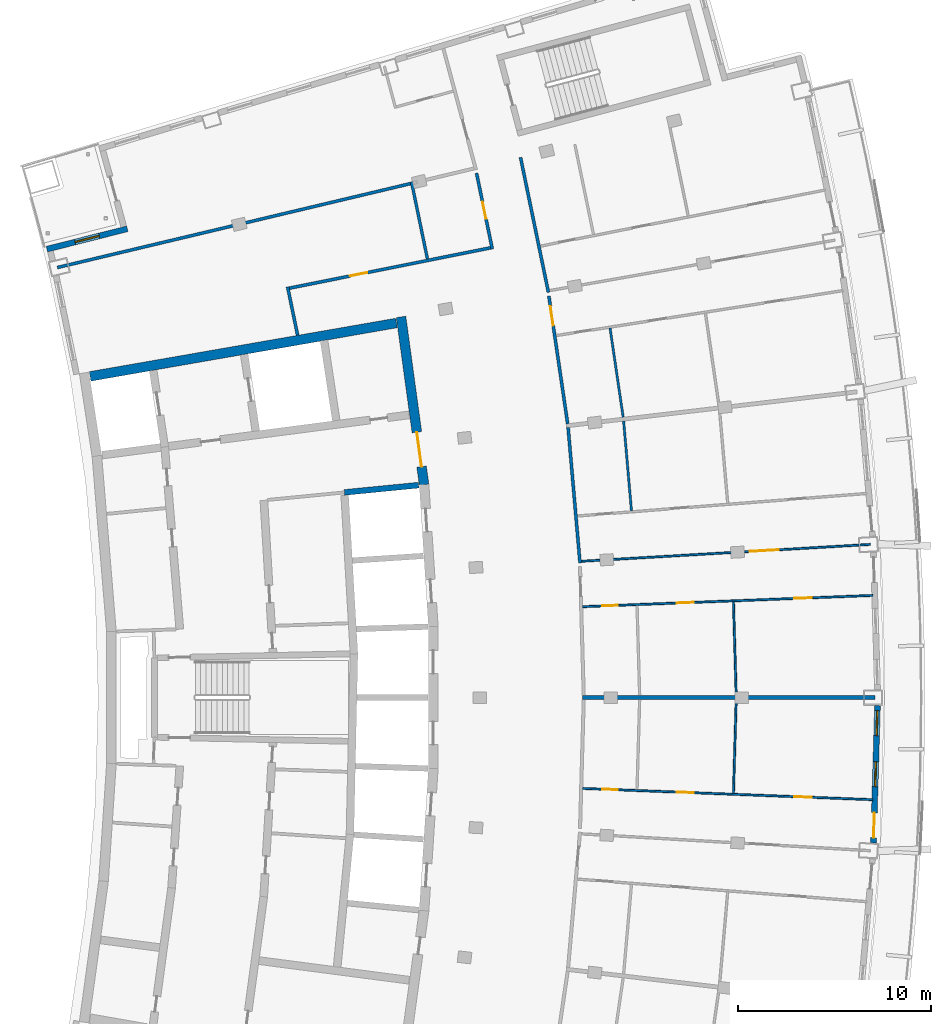
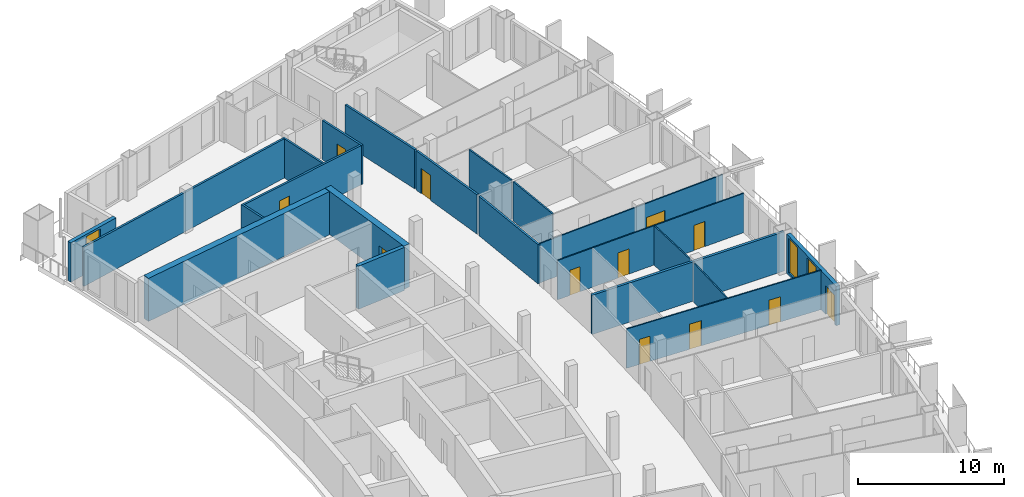
# One storey, part 11 of 17: 21 walls, 12 doors, 3 windows, 15 openings.
"""IFC4 building model written with IfcOpenShell, lengths in metres."""

import ifcopenshell
import ifcopenshell.guid

model = None  # the IFC model being written
_history = None  # IfcOwnerHistory: only IFC2X3 demands one
_inside = {}  # id of a spatial element -> (the spatial element, [elements in it])
_under = {}  # id of a project, library or spatial element -> (it, [spatial elements below it])
_declared = {}  # id of a project -> (the project, [libraries it declares])
_typed = {}  # id of a type object -> (the type object, [elements of that type])
_made_of = {}  # id of a material, layer set ... -> (it, [elements and type objects made of it])


def new_model(schema):
    """Start an empty IFC model of exactly this schema.

    Asked for "IFC4X3", IfcOpenShell would pick the latest addendum, in which some entities
    have other attributes; the version numbers below select the first issue.
    IFC2X3 requires an IfcOwnerHistory on every rooted entity: one is made here for all.
    """
    global model, _history
    if schema == "IFC4X3":
        model = ifcopenshell.file(schema_version=(4, 3, 0, 0))
    else:
        model = ifcopenshell.file(schema=schema)
    _inside.clear()
    _under.clear()
    _declared.clear()
    _typed.clear()
    _made_of.clear()
    _history = None
    if model.schema == "IFC2X3":
        org = make("IfcOrganization", Name="unknown")
        user = make(
            "IfcPersonAndOrganization",
            ThePerson=make("IfcPerson", FamilyName="unknown"),
            TheOrganization=org,
        )
        app = make(
            "IfcApplication",
            ApplicationDeveloper=org,
            Version="unknown",
            ApplicationFullName="unknown",
            ApplicationIdentifier="unknown",
        )
        _history = make(
            "IfcOwnerHistory",
            OwningUser=user,
            OwningApplication=app,
            ChangeAction="ADDED",
            CreationDate=0,
        )
    return model


def make(cls, **values):
    """One entity of the class cls with the attributes given. An attribute that is None is left unset."""
    return model.create_entity(
        cls, **{name: value for name, value in values.items() if value is not None}
    )


def rooted(cls, **values):
    """An entity with a GlobalId (a new one), such as an element, a storey or a relation."""
    return make(cls, GlobalId=ifcopenshell.guid.new(), OwnerHistory=_history, **values)


def si_unit(unit_type, name, prefix=None):
    """IfcSIUnit, for example si_unit("LENGTHUNIT", "METRE", prefix="MILLI")."""
    return make("IfcSIUnit", UnitType=unit_type, Prefix=prefix, Name=name)


def assignment(units):
    """IfcUnitAssignment: the units of a project."""
    return None if units is None else make("IfcUnitAssignment", Units=units)


def point(xyz):
    """IfcCartesianPoint."""
    return None if xyz is None else make("IfcCartesianPoint", Coordinates=xyz)


def direction(xyz):
    """IfcDirection."""
    return None if xyz is None else make("IfcDirection", DirectionRatios=xyz)


def frame(location, z_axis=None, x_axis=None):
    """IfcAxis2Placement3D, a coordinate frame: its origin and axes. An axis left out is left unset."""
    return make(
        "IfcAxis2Placement3D",
        Location=point(location),
        Axis=direction(z_axis),
        RefDirection=direction(x_axis),
    )


def frame_2d(location, x_axis=None):
    """IfcAxis2Placement2D, a coordinate frame in the plane: its origin and x axis."""
    return make(
        "IfcAxis2Placement2D", Location=point(location), RefDirection=direction(x_axis)
    )


def origin():
    """The frame at (0, 0, 0) with its axes left unset."""
    return frame((0.0, 0.0, 0.0))


def place(relative_to, where):
    """IfcLocalPlacement: puts the frame where relative to a parent placement (None: the world)."""
    return make(
        "IfcLocalPlacement", PlacementRelTo=relative_to, RelativePlacement=where
    )


def context(
    kind, dimensions, precision=None, world=None, true_north=None, identifier=None
):
    """IfcGeometricRepresentationContext, for example the 3D "Model" context."""
    return make(
        "IfcGeometricRepresentationContext",
        ContextIdentifier=identifier,
        ContextType=kind,
        CoordinateSpaceDimension=dimensions,
        Precision=precision,
        WorldCoordinateSystem=world,
        TrueNorth=true_north,
    )


def subcontext(parent, identifier, kind, view, scale=None):
    """IfcGeometricRepresentationSubContext, for example "Body" below "Model"."""
    return make(
        "IfcGeometricRepresentationSubContext",
        ContextIdentifier=identifier,
        ContextType=kind,
        ParentContext=parent,
        TargetScale=scale,
        TargetView=view,
    )


def project(units=None, contexts=None):
    """IfcProject with its units and contexts."""
    return rooted(
        "IfcProject",
        Name="project",
        RepresentationContexts=contexts,
        UnitsInContext=assignment(units),
    )


def spatial(cls, under=None, at=None, **own):
    """A site, building, storey or space (cls), placed at a placement, below another one or the project."""
    s = rooted(cls, ObjectPlacement=at, **own)
    if under is not None:
        _under.setdefault(under.id(), (under, []))[1].append(s)
    return s


def profile(cls, at=None, kind="AREA", **sizes):
    """A parametric profile (cls). Its sizes go by their IFC names, for example OverallWidth=200.0."""
    return make(cls, ProfileType=kind, Position=at, **sizes)


def rectangle(**sizes):
    """IfcRectangleProfileDef."""
    return profile("IfcRectangleProfileDef", **sizes)


def extrude(swept, where, along, depth):
    """IfcExtrudedAreaSolid: the profile swept, set in the frame where, extruded along a direction by depth."""
    return make(
        "IfcExtrudedAreaSolid",
        SweptArea=swept,
        Position=where,
        ExtrudedDirection=direction(along),
        Depth=depth,
    )


def shape(context_of_items, identifier, shape_type, items):
    """IfcShapeRepresentation: the items that make up one representation, for example the "Body"."""
    return make(
        "IfcShapeRepresentation",
        ContextOfItems=context_of_items,
        RepresentationIdentifier=identifier,
        RepresentationType=shape_type,
        Items=items,
    )


def material(Name=None, Category=None):
    """IfcMaterial."""
    return make("IfcMaterial", Name=Name, Category=Category)


def layer(
    of_material, thickness, ventilated=None, Name=None, Category=None, Priority=None
):
    """IfcMaterialLayer: one layer of a wall or slab, of a material (None: an air gap)."""
    return make(
        "IfcMaterialLayer",
        Material=of_material,
        LayerThickness=thickness,
        IsVentilated=ventilated,
        Name=Name,
        Category=Category,
        Priority=Priority,
    )


def layer_set(layers, Name=None):
    """IfcMaterialLayerSet."""
    return make("IfcMaterialLayerSet", MaterialLayers=layers, LayerSetName=Name)


def made_of(thing, what):
    """Note that an element or type object is made of a material, layer set ...; save() writes the relation."""
    if what is not None:
        _made_of.setdefault(what.id(), (what, []))[1].append(thing)
    return thing


def type_object(cls, material=None, **own):
    """A type object (cls), such as IfcWallType, which elements share."""
    return made_of(rooted(cls, **own), material)


def element(
    cls,
    number,
    at=None,
    inside=None,
    cuts=None,
    type_object=None,
    material=None,
    context=None,
    identifier="Body",
    shape_type=None,
    held_by="IfcProductDefinitionShape",
    body=None,
    shapes=None,
    **own,
):
    """One element of the class cls, such as IfcWall. Its Tag is "e" and its number.

    at: its placement. inside: the storey or other place that contains it. cuts: it is an
    opening in that element (IfcRelVoidsElement). A single representation is given by context,
    identifier, shape_type and body (its items); several are given by shapes. held_by: the class
    of the entity that holds the representations. save() writes the other relations.
    """
    e = rooted(cls, Tag="e%d" % number, ObjectPlacement=at, **own)
    if body is not None:
        shapes = [shape(context, identifier, shape_type, body)]
    if shapes is not None:
        e.Representation = make(held_by, Representations=shapes)
    if inside is not None:
        _inside.setdefault(inside.id(), (inside, []))[1].append(e)
    if cuts is not None:
        rooted(
            "IfcRelVoidsElement", RelatingBuildingElement=cuts, RelatedOpeningElement=e
        )
    if type_object is not None:
        _typed.setdefault(type_object.id(), (type_object, []))[1].append(e)
    return made_of(e, material)


def fill(opening, filler):
    """IfcRelFillsElement: the door or window that sits in an opening."""
    return rooted(
        "IfcRelFillsElement",
        RelatingOpeningElement=opening,
        RelatedBuildingElement=filler,
    )


def aggregate(whole, parts):
    """IfcRelAggregates: a whole, such as a stair, and the parts it consists of."""
    return rooted("IfcRelAggregates", RelatingObject=whole, RelatedObjects=parts)


def save(model, path):
    """Write the relations noted so far, then the file.

    IfcRelAggregates (storeys below a building ...), IfcRelContainedInSpatialStructure (elements
    in a storey), IfcRelDefinesByType, IfcRelAssociatesMaterial and IfcRelDeclares: one each for
    every whole, place, type object, material and project.
    """
    for whole, parts in _under.values():
        aggregate(whole, parts)
    for where, things in _inside.values():
        rooted(
            "IfcRelContainedInSpatialStructure",
            RelatedElements=things,
            RelatingStructure=where,
        )
    for kind, things in _typed.values():
        rooted("IfcRelDefinesByType", RelatedObjects=things, RelatingType=kind)
    for what, things in _made_of.values():
        rooted("IfcRelAssociatesMaterial", RelatedObjects=things, RelatingMaterial=what)
    for by, libraries in _declared.values():
        rooted("IfcRelDeclares", RelatingContext=by, RelatedDefinitions=libraries)
    model.write(path)


model = new_model("IFC4")

# Units and contexts
model_context = context("Model", 3, precision=1e-05, world=origin(), true_north=direction((0.0, 1.0)))
body_context = subcontext(model_context, "Body", "Model", "MODEL_VIEW")
ifc_project = project(units=[si_unit("LENGTHUNIT", "METRE"), si_unit("AREAUNIT", "SQUARE_METRE"), si_unit("VOLUMEUNIT", "CUBIC_METRE"), si_unit("PLANEANGLEUNIT", "RADIAN"), si_unit("MASSUNIT", "GRAM", prefix="KILO")], contexts=[model_context])

# Site, building, storey
site_placement = place(None, origin())
site = spatial("IfcSite", under=ifc_project, at=site_placement, CompositionType="ELEMENT")
building_placement = place(site_placement, origin())
building = spatial("IfcBuilding", under=site, at=building_placement, Name="Alderwake Tower", CompositionType="ELEMENT")
storey_placement = place(building_placement, frame((0.0, 0.0, 270.800048828125)))
storey = spatial("IfcBuildingStorey", under=building, at=storey_placement, Name="L67", CompositionType="ELEMENT", Elevation=270.800048828125)

# Wall, opening, door
ifc_material_1 = material(Name="Concrete C70/85", Category="concrete")
ifc_layer_1 = layer(ifc_material_1, 0.5)
ifc_layer_set_1 = layer_set([ifc_layer_1], Name="Core wall outer 500 C70-85")
wall_type_1 = type_object("IfcWallType", Name="Core wall outer 500 C70-85", PredefinedType="SHEAR", material=ifc_layer_set_1)
wall_1_placement = place(storey_placement, frame((31.71728515625, 80.752685546875, 0.0), z_axis=(0.0, 0.0, 1.0), x_axis=(0.1358539401, -0.990728876615, 0.0)))
wall_1 = element("IfcWall", 1, at=wall_1_placement, inside=storey, type_object=wall_type_1, Name="Core wall CW.019", PredefinedType="SHEAR", context=body_context, shape_type="SweptSolid", body=[
    extrude(rectangle(XDim=8.794921875, YDim=0.5, at=frame_2d((4.3974609375, 0.0))), origin(), (0.0, 0.0, 1.0), 3.599853515625),
])
opening_1_placement = place(wall_1_placement, frame((6.0419921875, 0.0, 0.0)))
opening_1 = element("IfcOpeningElement", 2, at=opening_1_placement, cuts=wall_1, Name="Opening C001", PredefinedType="OPENING", context=body_context, shape_type="SweptSolid", body=[
    extrude(rectangle(XDim=1.800048828125, YDim=2.10009765625, at=frame_2d((0.89990234375, 1.050048828125))), frame((0.0, 0.260009765625, 0.0), z_axis=(0.0, -1.0, 0.0), x_axis=(1.0, 0.0, 0.0)), (0.0, 0.0, 1.0), 0.52001953125),
])
ifc_material_2 = material(Name="Steel-framed fire door leaves", Category="steel")
door_type_1 = type_object("IfcDoorType", Name="Core double door 1800 fire-rated", OperationType="DOUBLE_DOOR_SINGLE_SWING", PredefinedType="DOOR", material=ifc_material_2)
door_1_placement = place(opening_1_placement, origin())
door_1 = element("IfcDoor", 3, at=door_1_placement, inside=storey, type_object=door_type_1, Name="Lobby double door", OperationType="DOUBLE_DOOR_SINGLE_SWING", OverallHeight=2.10009765625, OverallWidth=1.800048828125, PredefinedType="DOOR", context=body_context, shape_type="SweptSolid", body=[
    extrude(rectangle(XDim=1.800048828125, YDim=2.10009765625, at=frame_2d((0.89990234375, 1.050048828125))), frame((0.0, 0.02490234375, 0.0), z_axis=(0.0, -1.0, 0.0), x_axis=(1.0, 0.0, 0.0)), (0.0, 0.0, 1.0), 0.050048828125),
])
fill(opening_1, door_1)

# Walls
wall_2_placement = place(storey_placement, frame((15.583251953125, 77.664306640625, 0.0), z_axis=(0.0, 0.0, 1.0), x_axis=(0.985139146221, 0.171758151429, 0.0)))
element("IfcWall", 4, at=wall_2_placement, inside=storey, type_object=wall_type_1, Name="Core wall CW.055", PredefinedType="SHEAR", context=body_context, shape_type="SweptSolid", body=[
    extrude(rectangle(XDim=16.134521484375, YDim=0.5, at=frame_2d((8.0673828125, 0.0))), origin(), (0.0, 0.0, 1.0), 3.599853515625),
])
ifc_material_3 = material(Name="Concrete C70/85", Category="concrete")
ifc_layer_2 = layer(ifc_material_3, 0.300048828125)
ifc_layer_set_2 = layer_set([ifc_layer_2], Name="Core wall shaft 300 C70-85")
wall_type_2 = type_object("IfcWallType", Name="Core wall shaft 300 C70-85", PredefinedType="SHEAR", material=ifc_layer_set_2)
wall_3_placement = place(storey_placement, frame((28.780517578125, 71.644287109375, 0.0), z_axis=(0.0, 0.0, 1.0), x_axis=(0.995244248631, 0.097410910928, 0.0)))
element("IfcWall", 5, at=wall_3_placement, inside=storey, type_object=wall_type_2, Name="Core wall CW.049", PredefinedType="SHEAR", context=body_context, shape_type="SweptSolid", body=[
    extrude(rectangle(XDim=3.86962890625, YDim=0.300048828125, at=frame_2d((1.934814453125, 0.0))), origin(), (0.0, 0.0, 1.0), 3.599853515625),
])
ifc_material_4 = material(Name="Gypsum board on metal studs, rated")
ifc_layer_3 = layer(ifc_material_4, 0.159912109375)
ifc_layer_set_3 = layer_set([ifc_layer_3], Name="Corridor wall 160")
wall_type_3 = type_object("IfcWallType", Name="Corridor wall 160", PredefinedType="PARTITIONING", material=ifc_layer_set_3)
wall_4_placement = place(storey_placement, frame((25.831787109375, 82.305419921875, 0.0), z_axis=(0.0, 0.0, 1.0), x_axis=(0.202450797205, -0.979292435747, 0.0)))
element("IfcWall", 6, at=wall_4_placement, inside=storey, type_object=wall_type_3, Name="WL/L67/W09", PredefinedType="PARTITIONING", context=body_context, shape_type="SweptSolid", body=[
    extrude(rectangle(XDim=2.555419921875, YDim=0.159912109375, at=frame_2d((1.27783203125, 0.0))), origin(), (0.0, 0.0, 1.0), 3.280029296875),
])
wall_5_placement = place(storey_placement, frame((32.200927734375, 87.66650390625, 0.0), z_axis=(0.0, 0.0, 1.0), x_axis=(-0.972897690171, -0.231235993004, 0.0)))
element("IfcWall", 7, at=wall_5_placement, inside=storey, type_object=wall_type_3, Name="WL/L67/W10", PredefinedType="PARTITIONING", context=body_context, shape_type="SweptSolid", body=[
    extrude(rectangle(XDim=18.8271484375, YDim=0.159912109375, at=frame_2d((9.41357421875, 0.0))), origin(), (0.0, 0.0, 1.0), 3.280029296875),
])

# Wall, opening, door
wall_6_placement = place(storey_placement, frame((36.451416015625, 84.272705078125, 0.0), z_axis=(0.0, 0.0, 1.0), x_axis=(-0.203258199701, 0.979125172924, 0.0)))
wall_6 = element("IfcWall", 8, at=wall_6_placement, inside=storey, type_object=wall_type_3, Name="WL/L67/W15", PredefinedType="PARTITIONING", context=body_context, shape_type="SweptSolid", body=[
    extrude(rectangle(XDim=4.020263671875, YDim=0.159912109375, at=frame_2d((2.01025390625, 0.0))), origin(), (0.0, 0.0, 1.0), 3.280029296875),
])
opening_2_placement = place(wall_6_placement, frame((1.599609375, 0.0, 0.0)))
opening_2 = element("IfcOpeningElement", 9, at=opening_2_placement, cuts=wall_6, Name="Opening R19-SBN2", PredefinedType="OPENING", context=body_context, shape_type="SweptSolid", body=[
    extrude(rectangle(XDim=0.89990234375, YDim=2.10009765625, at=frame_2d((0.449951171875, 1.050048828125))), frame((0.0, 0.08984375, 0.0), z_axis=(0.0, -1.0, 0.0), x_axis=(1.0, 0.0, 0.0)), (0.0, 0.0, 1.0), 0.179931640625),
])
ifc_material_5 = material(Name="Painted timber leaf", Category="wood")
door_type_2 = type_object("IfcDoorType", Name="Room door 900", OperationType="SINGLE_SWING_LEFT", PredefinedType="DOOR", material=ifc_material_5)
door_2_placement = place(opening_2_placement, origin())
door_2 = element("IfcDoor", 10, at=door_2_placement, inside=storey, type_object=door_type_2, Name="DR/L67/SBN2", OperationType="SINGLE_SWING_LEFT", OverallHeight=2.10009765625, OverallWidth=0.89990234375, PredefinedType="DOOR", context=body_context, shape_type="SweptSolid", body=[
    extrude(rectangle(XDim=0.89990234375, YDim=2.10009765625, at=frame_2d((0.449951171875, 1.050048828125))), frame((0.0, 0.02490234375, 0.0), z_axis=(0.0, -1.0, 0.0), x_axis=(1.0, 0.0, 0.0)), (0.0, 0.0, 1.0), 0.050048828125),
])
fill(opening_2, door_2)

wall_7_placement = place(storey_placement, frame((25.926513671875, 82.24267578125, 0.0), z_axis=(0.0, 0.0, 1.0), x_axis=(0.98046310274, 0.196703086316, 0.0)))
wall_7 = element("IfcWall", 11, at=wall_7_placement, inside=storey, type_object=wall_type_3, Name="WL/L67/W17", PredefinedType="PARTITIONING", context=body_context, shape_type="SweptSolid", body=[
    extrude(rectangle(XDim=10.637939453125, YDim=0.159912109375, at=frame_2d((5.31884765625, 0.0))), origin(), (0.0, 0.0, 1.0), 3.280029296875),
])
opening_3_placement = place(wall_7_placement, frame((3.208984375, 0.0, 0.0)))
opening_3 = element("IfcOpeningElement", 12, at=opening_3_placement, cuts=wall_7, Name="Opening R19-SBN1", PredefinedType="OPENING", context=body_context, shape_type="SweptSolid", body=[
    extrude(rectangle(XDim=0.89990234375, YDim=2.10009765625, at=frame_2d((0.449951171875, 1.050048828125))), frame((0.0, 0.08984375, 0.0), z_axis=(0.0, -1.0, 0.0), x_axis=(1.0, 0.0, 0.0)), (0.0, 0.0, 1.0), 0.179931640625),
])
door_3_placement = place(opening_3_placement, origin())
door_3 = element("IfcDoor", 13, at=door_3_placement, inside=storey, type_object=door_type_2, Name="DR/L67/SBN1", OperationType="SINGLE_SWING_LEFT", OverallHeight=2.10009765625, OverallWidth=0.89990234375, PredefinedType="DOOR", context=body_context, shape_type="SweptSolid", body=[
    extrude(rectangle(XDim=0.89990234375, YDim=2.10009765625, at=frame_2d((0.449951171875, 1.050048828125))), frame((0.0, 0.02490234375, 0.0), z_axis=(0.0, -1.0, 0.0), x_axis=(1.0, 0.0, 0.0)), (0.0, 0.0, 1.0), 0.050048828125),
])
fill(opening_3, door_3)

# Wall
wall_8_placement = place(storey_placement, frame((39.3642578125, 82.022705078125, 0.0), z_axis=(0.0, 0.0, 1.0), x_axis=(-0.202409142021, 0.979301046271, 0.0)))
element("IfcWall", 14, at=wall_8_placement, inside=storey, type_object=wall_type_3, Name="WL/L67/W20", PredefinedType="PARTITIONING", context=body_context, shape_type="SweptSolid", body=[
    extrude(rectangle(XDim=7.150146484375, YDim=0.159912109375, at=frame_2d((3.5751953125, 0.0))), origin(), (0.0, 0.0, 1.0), 3.280029296875),
])

# Wall, opening, door
wall_9_placement = place(storey_placement, frame((39.38671875, 81.837158203125, 0.0), z_axis=(0.0, 0.0, 1.0), x_axis=(0.145576845789, -0.989346947218, 0.0)))
wall_9 = element("IfcWall", 15, at=wall_9_placement, inside=storey, type_object=wall_type_3, Name="WL/L67/W21", PredefinedType="PARTITIONING", context=body_context, shape_type="SweptSolid", body=[
    extrude(rectangle(XDim=6.701416015625, YDim=0.159912109375, at=frame_2d((3.3505859375, 0.0))), origin(), (0.0, 0.0, 1.0), 3.280029296875),
])
opening_4_placement = place(wall_9_placement, frame((0.54443359375, 0.0, 0.0)))
opening_4 = element("IfcOpeningElement", 16, at=opening_4_placement, cuts=wall_9, Name="Opening R19-U06.2", PredefinedType="OPENING", context=body_context, shape_type="SweptSolid", body=[
    extrude(rectangle(XDim=1.0, YDim=2.10009765625, at=frame_2d((0.5, 1.050048828125))), frame((0.0, 0.08984375, 0.0), z_axis=(0.0, -1.0, 0.0), x_axis=(1.0, 0.0, 0.0)), (0.0, 0.0, 1.0), 0.179931640625),
])
ifc_material_6 = material(Name="Solid timber leaf in steel frame", Category="steel")
door_type_3 = type_object("IfcDoorType", Name="Flat entrance door 1000 fire-rated", OperationType="SINGLE_SWING_LEFT", PredefinedType="DOOR", material=ifc_material_6)
door_4_placement = place(opening_4_placement, origin())
door_4 = element("IfcDoor", 17, at=door_4_placement, inside=storey, type_object=door_type_3, Name="DR/L67/U06.2", OperationType="SINGLE_SWING_LEFT", OverallHeight=2.10009765625, OverallWidth=1.0, PredefinedType="DOOR", context=body_context, shape_type="SweptSolid", body=[
    extrude(rectangle(XDim=1.0, YDim=2.10009765625, at=frame_2d((0.5, 1.050048828125))), frame((0.0, 0.02490234375, 0.0), z_axis=(0.0, -1.0, 0.0), x_axis=(1.0, 0.0, 0.0)), (0.0, 0.0, 1.0), 0.050048828125),
])
fill(opening_4, door_4)

# Wall
wall_10_placement = place(storey_placement, frame((41.001953125, 67.9873046875, 0.0), z_axis=(0.0, 0.0, 1.0), x_axis=(-0.087430787456, 0.996170596537, 0.0)))
element("IfcWall", 18, at=wall_10_placement, inside=storey, type_object=wall_type_3, Name="WL/L67/W24", PredefinedType="PARTITIONING", context=body_context, shape_type="SweptSolid", body=[
    extrude(rectangle(XDim=7.048095703125, YDim=0.159912109375, at=frame_2d((3.52392578125, 0.0))), origin(), (0.0, 0.0, 1.0), 3.280029296875),
])

# Wall, openings, door, windows
ifc_material_7 = material(Name="Precast concrete C50/60 spandrel panel", Category="concrete")
ifc_layer_4 = layer(ifc_material_7, 0.300048828125)
ifc_layer_set_4 = layer_set([ifc_layer_4], Name="External wall EW1 Precast concrete C50/60 spandrel")
wall_type_4 = type_object("IfcWallType", Name="External wall EW1 Precast concrete C50/60 spandrel", PredefinedType="SOLIDWALL", material=ifc_layer_set_4)
wall_11_placement = place(storey_placement, frame((56.230224609375, 53.46630859375, 0.0), z_axis=(0.0, 0.0, 1.0), x_axis=(0.029165124817, 0.999574607268, 0.0)))
wall_11 = element("IfcWall", 19, at=wall_11_placement, inside=storey, type_object=wall_type_4, Name="External wall 15", PredefinedType="SOLIDWALL", context=body_context, shape_type="SweptSolid", body=[
    extrude(rectangle(XDim=7.115234375, YDim=0.300048828125, at=frame_2d((3.5576171875, 0.0))), origin(), (0.0, 0.0, 1.0), 3.280029296875),
])
opening_5_placement = place(wall_11_placement, frame((0.259521484375, 0.0, 0.0)))
opening_5 = element("IfcOpeningElement", 20, at=opening_5_placement, cuts=wall_11, Name="Opening D05", PredefinedType="OPENING", context=body_context, shape_type="SweptSolid", body=[
    extrude(rectangle(XDim=1.300048828125, YDim=2.39990234375, at=frame_2d((0.64990234375, 1.199951171875))), frame((0.0, 0.159912109375, 0.0), z_axis=(0.0, -1.0, 0.0), x_axis=(1.0, 0.0, 0.0)), (0.0, 0.0, 1.0), 0.320068359375),
])
opening_6_placement = place(wall_11_placement, frame((2.907470703125, 0.0, 0.199951171875)))
opening_6 = element("IfcOpeningElement", 21, at=opening_6_placement, cuts=wall_11, Name="Opening W1", PredefinedType="OPENING", context=body_context, shape_type="SweptSolid", body=[
    extrude(rectangle(XDim=1.300048828125, YDim=2.89990234375, at=frame_2d((0.64990234375, 1.449951171875))), frame((0.0, 0.159912109375, 0.0), z_axis=(0.0, -1.0, 0.0), x_axis=(1.0, 0.0, 0.0)), (0.0, 0.0, 1.0), 0.320068359375),
])
opening_7_placement = place(wall_11_placement, frame((5.555419921875, 0.0, 0.199951171875)))
opening_7 = element("IfcOpeningElement", 22, at=opening_7_placement, cuts=wall_11, Name="Opening W1", PredefinedType="OPENING", context=body_context, shape_type="SweptSolid", body=[
    extrude(rectangle(XDim=1.300048828125, YDim=2.89990234375, at=frame_2d((0.64990234375, 1.449951171875))), frame((0.0, 0.159912109375, 0.0), z_axis=(0.0, -1.0, 0.0), x_axis=(1.0, 0.0, 0.0)), (0.0, 0.0, 1.0), 0.320068359375),
])
ifc_material_8 = material(Name="Bronze tinted glass in aluminium frame", Category="aluminium")
door_type_4 = type_object("IfcDoorType", Name="Balcony door BD sliding", OperationType="SLIDING_TO_LEFT", PredefinedType="DOOR", material=ifc_material_8)
door_5_placement = place(opening_5_placement, origin())
door_5 = element("IfcDoor", 23, at=door_5_placement, inside=storey, type_object=door_type_4, Name="Door D05", OperationType="SLIDING_TO_LEFT", OverallHeight=2.39990234375, OverallWidth=1.300048828125, PredefinedType="DOOR", context=body_context, shape_type="SweptSolid", body=[
    extrude(rectangle(XDim=1.300048828125, YDim=2.39990234375, at=frame_2d((0.64990234375, 1.199951171875))), frame((0.0, 0.02490234375, 0.0), z_axis=(0.0, -1.0, 0.0), x_axis=(1.0, 0.0, 0.0)), (0.0, 0.0, 1.0), 0.050048828125),
])
fill(opening_5, door_5)
ifc_material_9 = material(Name="Bronze tinted glass in aluminium frame", Category="aluminium")
window_type = type_object("IfcWindowType", Name="Window W1 tall fixed and vent", PartitioningType="DOUBLE_PANEL_VERTICAL", PredefinedType="WINDOW", material=ifc_material_9)
window_1_placement = place(opening_6_placement, origin())
window_1 = element("IfcWindow", 24, at=window_1_placement, inside=storey, type_object=window_type, Name="Window W1 tall fixed and vent", OverallHeight=2.89990234375, OverallWidth=1.300048828125, PartitioningType="DOUBLE_PANEL_VERTICAL", PredefinedType="WINDOW", context=body_context, shape_type="SweptSolid", body=[
    extrude(rectangle(XDim=1.300048828125, YDim=2.89990234375, at=frame_2d((0.64990234375, 1.449951171875))), frame((0.0, 0.030029296875, 0.0), z_axis=(0.0, -1.0, 0.0), x_axis=(1.0, 0.0, 0.0)), (0.0, 0.0, 1.0), 0.06005859375),
])
fill(opening_6, window_1)
window_2_placement = place(opening_7_placement, origin())
window_2 = element("IfcWindow", 25, at=window_2_placement, inside=storey, type_object=window_type, Name="Window W1 tall fixed and vent", OverallHeight=2.89990234375, OverallWidth=1.300048828125, PartitioningType="DOUBLE_PANEL_VERTICAL", PredefinedType="WINDOW", context=body_context, shape_type="SweptSolid", body=[
    extrude(rectangle(XDim=1.300048828125, YDim=2.89990234375, at=frame_2d((0.64990234375, 1.449951171875))), frame((0.0, 0.030029296875, 0.0), z_axis=(0.0, -1.0, 0.0), x_axis=(1.0, 0.0, 0.0)), (0.0, 0.0, 1.0), 0.06005859375),
])
fill(opening_7, window_2)

# Wall, opening, window
ifc_material_10 = material(Name="Bronze metal cladding on lightweight framing")
ifc_layer_5 = layer(ifc_material_10, 0.300048828125)
ifc_layer_set_5 = layer_set([ifc_layer_5], Name="External wall EW2 bronze metal cladding")
wall_type_5 = type_object("IfcWallType", Name="External wall EW2 bronze metal cladding", PredefinedType="SOLIDWALL", material=ifc_layer_set_5)
wall_12_placement = place(storey_placement, frame((17.51611328125, 85.32275390625, 0.0), z_axis=(0.0, 0.0, 1.0), x_axis=(-0.969417740682, -0.245416470617, 0.0)))
wall_12 = element("IfcWall", 26, at=wall_12_placement, inside=storey, type_object=wall_type_5, Name="External wall 29", PredefinedType="SOLIDWALL", context=body_context, shape_type="SweptSolid", body=[
    extrude(rectangle(XDim=4.305419921875, YDim=0.300048828125, at=frame_2d((2.15283203125, 0.0))), origin(), (0.0, 0.0, 1.0), 3.280029296875),
])
opening_8_placement = place(wall_12_placement, frame((1.502685546875, 0.0, 0.199951171875)))
opening_8 = element("IfcOpeningElement", 27, at=opening_8_placement, cuts=wall_12, Name="Opening W1", PredefinedType="OPENING", context=body_context, shape_type="SweptSolid", body=[
    extrude(rectangle(XDim=1.300048828125, YDim=2.89990234375, at=frame_2d((0.64990234375, 1.449951171875))), frame((0.0, 0.159912109375, 0.0), z_axis=(0.0, -1.0, 0.0), x_axis=(1.0, 0.0, 0.0)), (0.0, 0.0, 1.0), 0.320068359375),
])
window_3_placement = place(opening_8_placement, origin())
window_3 = element("IfcWindow", 28, at=window_3_placement, inside=storey, type_object=window_type, Name="Window W1 tall fixed and vent", OverallHeight=2.89990234375, OverallWidth=1.300048828125, PartitioningType="DOUBLE_PANEL_VERTICAL", PredefinedType="WINDOW", context=body_context, shape_type="SweptSolid", body=[
    extrude(rectangle(XDim=1.300048828125, YDim=2.89990234375, at=frame_2d((0.64990234375, 1.449951171875))), frame((0.0, 0.030029296875, 0.0), z_axis=(0.0, -1.0, 0.0), x_axis=(1.0, 0.0, 0.0)), (0.0, 0.0, 1.0), 0.06005859375),
])
fill(opening_8, window_3)

# Walls
ifc_material_11 = material(Name="Dense block masonry wall", Category="masonry")
ifc_layer_6 = layer(ifc_material_11, 0.199951171875)
ifc_layer_set_6 = layer_set([ifc_layer_6], Name="Party wall 200")
wall_type_6 = type_object("IfcWallType", Name="Party wall 200", PredefinedType="SOLIDWALL", material=ifc_layer_set_6)
wall_13_placement = place(storey_placement, frame((56.301025390625, 60.9990234375, 0.0), z_axis=(0.0, 0.0, 1.0), x_axis=(-1.0, 0.0, 0.0)))
element("IfcWall", 29, at=wall_13_placement, inside=storey, type_object=wall_type_6, Name="WL/L67/W03", PredefinedType="SOLIDWALL", context=body_context, shape_type="SweptSolid", body=[
    extrude(rectangle(XDim=15.18212890625, YDim=0.199951171875, at=frame_2d((7.591064453125, 0.0))), origin(), (0.0, 0.0, 1.0), 3.280029296875),
])
ifc_material_12 = material(Name="Gypsum shaft wall system, rated")
ifc_layer_7 = layer(ifc_material_12, 0.14990234375)
ifc_layer_set_7 = layer_set([ifc_layer_7], Name="Riser and shaft wall 150")
wall_type_7 = type_object("IfcWallType", Name="Riser and shaft wall 150", PredefinedType="PARTITIONING", material=ifc_layer_set_7)
wall_14_placement = place(storey_placement, frame((33.085693359375, 83.76025390625, 0.0), z_axis=(0.0, 0.0, 1.0), x_axis=(-0.202579923059, 0.979265732462, 0.0)))
element("IfcWall", 30, at=wall_14_placement, inside=storey, type_object=wall_type_7, Name="WL/L67/W05", PredefinedType="PARTITIONING", context=body_context, shape_type="SweptSolid", body=[
    extrude(rectangle(XDim=4.086669921875, YDim=0.14990234375, at=frame_2d((2.04345703125, 0.0))), origin(), (0.0, 0.0, 1.0), 3.280029296875),
])

# Wall, openings, doors
ifc_material_13 = material(Name="Gypsum board on metal studs")
ifc_layer_8 = layer(ifc_material_13, 0.10009765625)
ifc_layer_set_8 = layer_set([ifc_layer_8], Name="Unit partition 100")
wall_type_8 = type_object("IfcWallType", Name="Unit partition 100", PredefinedType="PARTITIONING", material=ifc_layer_set_8)
wall_15_placement = place(storey_placement, frame((41.143798828125, 56.285888671875, 0.0), z_axis=(0.0, 0.0, 1.0), x_axis=(0.999245431944, -0.038840272135, 0.0)))
wall_15 = element("IfcWall", 31, at=wall_15_placement, inside=storey, type_object=wall_type_8, Name="WL/L67/W44", PredefinedType="PARTITIONING", context=body_context, shape_type="SweptSolid", body=[
    extrude(rectangle(XDim=15.060791015625, YDim=0.10009765625, at=frame_2d((7.5302734375, 0.0))), origin(), (0.0, 0.0, 1.0), 3.280029296875),
])
opening_9_placement = place(wall_15_placement, frame((4.87158203125, 0.0, 0.0)))
opening_9 = element("IfcOpeningElement", 32, at=opening_9_placement, cuts=wall_15, Name="Opening R19-U04.5", PredefinedType="OPENING", context=body_context, shape_type="SweptSolid", body=[
    extrude(rectangle(XDim=0.89990234375, YDim=2.10009765625, at=frame_2d((0.449951171875, 1.050048828125))), frame((0.0, 0.06005859375, 0.0), z_axis=(0.0, -1.0, 0.0), x_axis=(1.0, 0.0, 0.0)), (0.0, 0.0, 1.0), 0.1201171875),
])
opening_10_placement = place(wall_15_placement, frame((1.0087890625, 0.0, 0.0)))
opening_10 = element("IfcOpeningElement", 33, at=opening_10_placement, cuts=wall_15, Name="Opening R19-U04.6", PredefinedType="OPENING", context=body_context, shape_type="SweptSolid", body=[
    extrude(rectangle(XDim=0.800048828125, YDim=2.10009765625, at=frame_2d((0.39990234375, 1.050048828125))), frame((0.0, 0.06005859375, 0.0), z_axis=(0.0, -1.0, 0.0), x_axis=(1.0, 0.0, 0.0)), (0.0, 0.0, 1.0), 0.1201171875),
])
opening_11_placement = place(wall_15_placement, frame((10.992919921875, 0.0, 0.0)))
opening_11 = element("IfcOpeningElement", 34, at=opening_11_placement, cuts=wall_15, Name="Opening R19-U04.7", PredefinedType="OPENING", context=body_context, shape_type="SweptSolid", body=[
    extrude(rectangle(XDim=0.89990234375, YDim=2.10009765625, at=frame_2d((0.449951171875, 1.050048828125))), frame((0.0, 0.06005859375, 0.0), z_axis=(0.0, -1.0, 0.0), x_axis=(1.0, 0.0, 0.0)), (0.0, 0.0, 1.0), 0.1201171875),
])
ifc_material_14 = material(Name="Painted timber leaf", Category="wood")
door_type_5 = type_object("IfcDoorType", Name="Bathroom door 800", OperationType="SINGLE_SWING_LEFT", PredefinedType="DOOR", material=ifc_material_14)
door_6_placement = place(opening_10_placement, origin())
door_6 = element("IfcDoor", 35, at=door_6_placement, inside=storey, type_object=door_type_5, Name="DR/L67/U04.6", OperationType="SINGLE_SWING_LEFT", OverallHeight=2.10009765625, OverallWidth=0.800048828125, PredefinedType="DOOR", context=body_context, shape_type="SweptSolid", body=[
    extrude(rectangle(XDim=0.800048828125, YDim=2.10009765625, at=frame_2d((0.39990234375, 1.050048828125))), frame((0.0, 0.02490234375, 0.0), z_axis=(0.0, -1.0, 0.0), x_axis=(1.0, 0.0, 0.0)), (0.0, 0.0, 1.0), 0.050048828125),
])
fill(opening_10, door_6)
door_7_placement = place(opening_9_placement, origin())
door_7 = element("IfcDoor", 36, at=door_7_placement, inside=storey, type_object=door_type_2, Name="DR/L67/U04.5", OperationType="SINGLE_SWING_LEFT", OverallHeight=2.10009765625, OverallWidth=0.89990234375, PredefinedType="DOOR", context=body_context, shape_type="SweptSolid", body=[
    extrude(rectangle(XDim=0.89990234375, YDim=2.10009765625, at=frame_2d((0.449951171875, 1.050048828125))), frame((0.0, 0.02490234375, 0.0), z_axis=(0.0, -1.0, 0.0), x_axis=(1.0, 0.0, 0.0)), (0.0, 0.0, 1.0), 0.050048828125),
])
fill(opening_9, door_7)
door_8_placement = place(opening_11_placement, origin())
door_8 = element("IfcDoor", 37, at=door_8_placement, inside=storey, type_object=door_type_2, Name="DR/L67/U04.7", OperationType="SINGLE_SWING_LEFT", OverallHeight=2.10009765625, OverallWidth=0.89990234375, PredefinedType="DOOR", context=body_context, shape_type="SweptSolid", body=[
    extrude(rectangle(XDim=0.89990234375, YDim=2.10009765625, at=frame_2d((0.449951171875, 1.050048828125))), frame((0.0, 0.02490234375, 0.0), z_axis=(0.0, -1.0, 0.0), x_axis=(1.0, 0.0, 0.0)), (0.0, 0.0, 1.0), 0.050048828125),
])
fill(opening_11, door_8)

wall_16_placement = place(storey_placement, frame((56.193115234375, 66.300048828125, 0.0), z_axis=(0.0, 0.0, 1.0), x_axis=(-0.999245431944, -0.038840272135, 0.0)))
wall_16 = element("IfcWall", 38, at=wall_16_placement, inside=storey, type_object=wall_type_8, Name="WL/L67/W45", PredefinedType="PARTITIONING", context=body_context, shape_type="SweptSolid", body=[
    extrude(rectangle(XDim=15.060791015625, YDim=0.10009765625, at=frame_2d((7.5302734375, 0.0))), origin(), (0.0, 0.0, 1.0), 3.280029296875),
])
opening_12_placement = place(wall_16_placement, frame((9.2890625, 0.0, 0.0)))
opening_12 = element("IfcOpeningElement", 39, at=opening_12_placement, cuts=wall_16, Name="Opening R19-U05.1", PredefinedType="OPENING", context=body_context, shape_type="SweptSolid", body=[
    extrude(rectangle(XDim=0.89990234375, YDim=2.10009765625, at=frame_2d((0.449951171875, 1.050048828125))), frame((0.0, 0.06005859375, 0.0), z_axis=(0.0, -1.0, 0.0), x_axis=(1.0, 0.0, 0.0)), (0.0, 0.0, 1.0), 0.1201171875),
])
opening_13_placement = place(wall_16_placement, frame((13.251708984375, 0.0, 0.0)))
opening_13 = element("IfcOpeningElement", 40, at=opening_13_placement, cuts=wall_16, Name="Opening R19-U05.3", PredefinedType="OPENING", context=body_context, shape_type="SweptSolid", body=[
    extrude(rectangle(XDim=0.800048828125, YDim=2.10009765625, at=frame_2d((0.39990234375, 1.050048828125))), frame((0.0, 0.06005859375, 0.0), z_axis=(0.0, -1.0, 0.0), x_axis=(1.0, 0.0, 0.0)), (0.0, 0.0, 1.0), 0.1201171875),
])
opening_14_placement = place(wall_16_placement, frame((3.16748046875, 0.0, 0.0)))
opening_14 = element("IfcOpeningElement", 41, at=opening_14_placement, cuts=wall_16, Name="Opening R19-U05.4", PredefinedType="OPENING", context=body_context, shape_type="SweptSolid", body=[
    extrude(rectangle(XDim=0.89990234375, YDim=2.10009765625, at=frame_2d((0.449951171875, 1.050048828125))), frame((0.0, 0.06005859375, 0.0), z_axis=(0.0, -1.0, 0.0), x_axis=(1.0, 0.0, 0.0)), (0.0, 0.0, 1.0), 0.1201171875),
])
door_9_placement = place(opening_13_placement, origin())
door_9 = element("IfcDoor", 42, at=door_9_placement, inside=storey, type_object=door_type_5, Name="DR/L67/U05.3", OperationType="SINGLE_SWING_LEFT", OverallHeight=2.10009765625, OverallWidth=0.800048828125, PredefinedType="DOOR", context=body_context, shape_type="SweptSolid", body=[
    extrude(rectangle(XDim=0.800048828125, YDim=2.10009765625, at=frame_2d((0.39990234375, 1.050048828125))), frame((0.0, 0.02490234375, 0.0), z_axis=(0.0, -1.0, 0.0), x_axis=(1.0, 0.0, 0.0)), (0.0, 0.0, 1.0), 0.050048828125),
])
fill(opening_13, door_9)
door_10_placement = place(opening_12_placement, origin())
door_10 = element("IfcDoor", 43, at=door_10_placement, inside=storey, type_object=door_type_2, Name="DR/L67/U05.1", OperationType="SINGLE_SWING_LEFT", OverallHeight=2.10009765625, OverallWidth=0.89990234375, PredefinedType="DOOR", context=body_context, shape_type="SweptSolid", body=[
    extrude(rectangle(XDim=0.89990234375, YDim=2.10009765625, at=frame_2d((0.449951171875, 1.050048828125))), frame((0.0, 0.02490234375, 0.0), z_axis=(0.0, -1.0, 0.0), x_axis=(1.0, 0.0, 0.0)), (0.0, 0.0, 1.0), 0.050048828125),
])
fill(opening_12, door_10)
door_11_placement = place(opening_14_placement, origin())
door_11 = element("IfcDoor", 44, at=door_11_placement, inside=storey, type_object=door_type_2, Name="DR/L67/U05.4", OperationType="SINGLE_SWING_LEFT", OverallHeight=2.10009765625, OverallWidth=0.89990234375, PredefinedType="DOOR", context=body_context, shape_type="SweptSolid", body=[
    extrude(rectangle(XDim=0.89990234375, YDim=2.10009765625, at=frame_2d((0.449951171875, 1.050048828125))), frame((0.0, 0.02490234375, 0.0), z_axis=(0.0, -1.0, 0.0), x_axis=(1.0, 0.0, 0.0)), (0.0, 0.0, 1.0), 0.050048828125),
])
fill(opening_14, door_11)

# Walls
wall_17_placement = place(storey_placement, frame((48.964599609375, 56.032958984375, 0.0), z_axis=(0.0, 0.0, 1.0), x_axis=(0.029288518569, 0.999570999319, 0.0)))
element("IfcWall", 45, at=wall_17_placement, inside=storey, type_object=wall_type_8, Name="WL/L67/W52", PredefinedType="PARTITIONING", context=body_context, shape_type="SweptSolid", body=[
    extrude(rectangle(XDim=4.8681640625, YDim=0.10009765625, at=frame_2d((2.43408203125, 0.0))), origin(), (0.0, 0.0, 1.0), 3.280029296875),
])
wall_18_placement = place(storey_placement, frame((49.107177734375, 61.09912109375, 0.0), z_axis=(0.0, 0.0, 1.0), x_axis=(-0.029270910336, 0.999571515104, 0.0)))
element("IfcWall", 46, at=wall_18_placement, inside=storey, type_object=wall_type_8, Name="WL/L67/W53", PredefinedType="PARTITIONING", context=body_context, shape_type="SweptSolid", body=[
    extrude(rectangle(XDim=4.87109375, YDim=0.10009765625, at=frame_2d((2.435546875, 0.0))), origin(), (0.0, 0.0, 1.0), 3.280029296875),
])

# Wall, opening, door
wall_19_placement = place(storey_placement, frame((41.074951171875, 68.07177734375, 0.0), z_axis=(0.0, 0.0, 1.0), x_axis=(0.998303956772, 0.058216921022, 0.0)))
wall_19 = element("IfcWall", 47, at=wall_19_placement, inside=storey, type_object=wall_type_8, Name="WL/L67/W57", PredefinedType="PARTITIONING", context=body_context, shape_type="SweptSolid", body=[
    extrude(rectangle(XDim=15.017333984375, YDim=0.10009765625, at=frame_2d((7.5087890625, 0.0))), origin(), (0.0, 0.0, 1.0), 3.280029296875),
])
opening_15_placement = place(wall_19_placement, frame((8.75048828125, 0.0, 0.0)))
opening_15 = element("IfcOpeningElement", 48, at=opening_15_placement, cuts=wall_19, Name="Opening R19-U05.8", PredefinedType="OPENING", context=body_context, shape_type="SweptSolid", body=[
    extrude(rectangle(XDim=1.5, YDim=2.10009765625, at=frame_2d((0.75, 1.050048828125))), frame((0.0, 0.06005859375, 0.0), z_axis=(0.0, -1.0, 0.0), x_axis=(1.0, 0.0, 0.0)), (0.0, 0.0, 1.0), 0.1201171875),
])
ifc_material_15 = material(Name="Painted timber leaves", Category="wood")
door_type_6 = type_object("IfcDoorType", Name="Double leaf door 1500", OperationType="DOUBLE_DOOR_SINGLE_SWING", PredefinedType="DOOR", material=ifc_material_15)
door_12_placement = place(opening_15_placement, origin())
door_12 = element("IfcDoor", 49, at=door_12_placement, inside=storey, type_object=door_type_6, Name="DR/L67/U05.8", OperationType="DOUBLE_DOOR_SINGLE_SWING", OverallHeight=2.10009765625, OverallWidth=1.5, PredefinedType="DOOR", context=body_context, shape_type="SweptSolid", body=[
    extrude(rectangle(XDim=1.5, YDim=2.10009765625, at=frame_2d((0.75, 1.050048828125))), frame((0.0, 0.02490234375, 0.0), z_axis=(0.0, -1.0, 0.0), x_axis=(1.0, 0.0, 0.0)), (0.0, 0.0, 1.0), 0.050048828125),
])
fill(opening_15, door_12)

# Walls
ifc_material_16 = material(Name="Moisture resistant gypsum board on metal studs")
ifc_layer_9 = layer(ifc_material_16, 0.1201171875)
ifc_layer_set_9 = layer_set([ifc_layer_9], Name="Wet room partition 120")
wall_type_9 = type_object("IfcWallType", Name="Wet room partition 120", PredefinedType="PARTITIONING", material=ifc_layer_set_9)
wall_20_placement = place(storey_placement, frame((43.242431640625, 75.5458984375, 0.0), z_axis=(0.0, 0.0, 1.0), x_axis=(-0.145515042, 0.989356039326, 0.0)))
element("IfcWall", 50, at=wall_20_placement, inside=storey, type_object=wall_type_9, Name="WL/L67/W34", PredefinedType="PARTITIONING", context=body_context, shape_type="SweptSolid", body=[
    extrude(rectangle(XDim=4.67431640625, YDim=0.1201171875, at=frame_2d((2.337158203125, 0.0))), origin(), (0.0, 0.0, 1.0), 3.280029296875),
])
wall_21_placement = place(storey_placement, frame((43.672607421875, 70.687744140625, 0.0), z_axis=(0.0, 0.0, 1.0), x_axis=(-0.087010256841, 0.996207415755, 0.0)))
element("IfcWall", 51, at=wall_21_placement, inside=storey, type_object=wall_type_9, Name="WL/L67/W35", PredefinedType="PARTITIONING", context=body_context, shape_type="SweptSolid", body=[
    extrude(rectangle(XDim=4.677490234375, YDim=0.1201171875, at=frame_2d((2.3388671875, 0.0))), origin(), (0.0, 0.0, 1.0), 3.280029296875),
])

save(model, "model.ifc")
